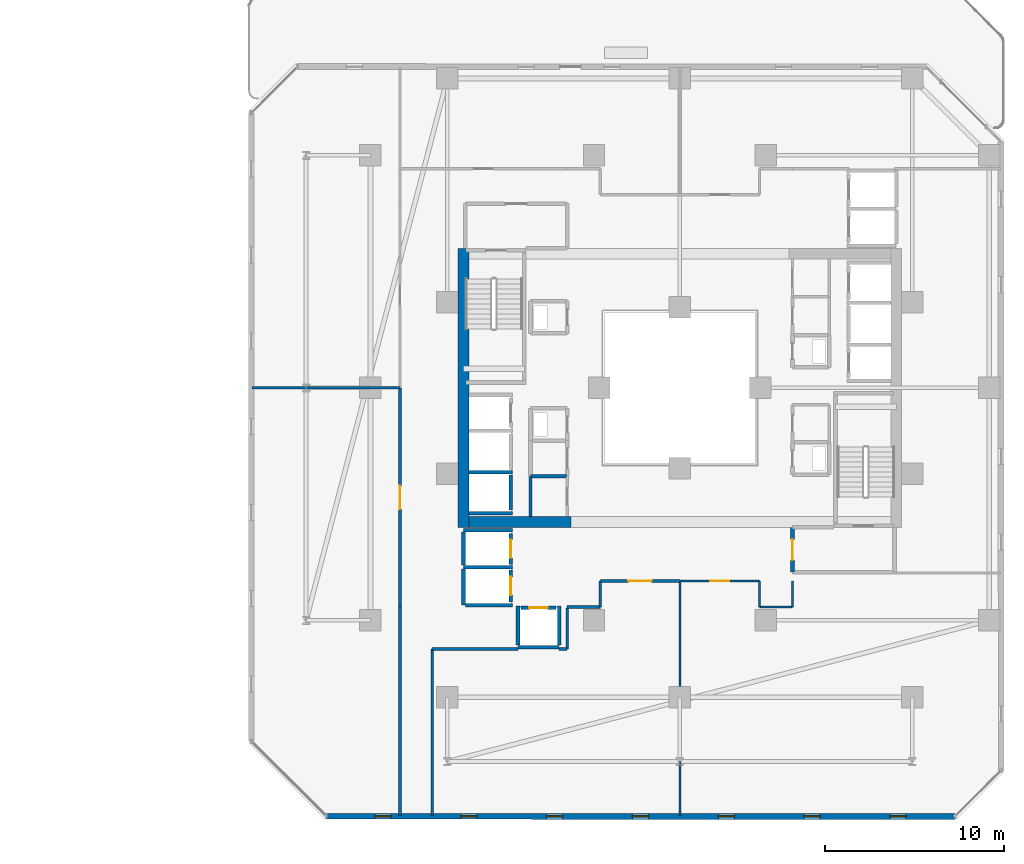
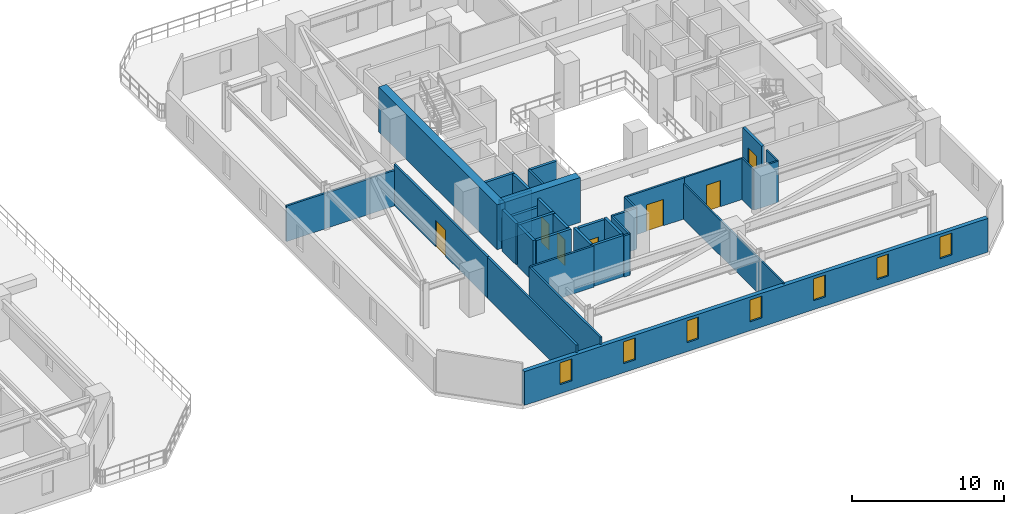
# One storey, part 24 of 33: 35 walls, 7 doors, 7 windows, 14 openings.
"""IFC4 building model written with IfcOpenShell, lengths in metres."""

from ifc_helpers import new_model, si_unit, direction, frame, frame_2d, origin, place, context, subcontext, project, spatial, rectangle, extrude, material, layer, layer_set, type_object, element, fill, save


model = new_model("IFC4")

# Units and contexts
model_context = context("Model", 3, precision=1e-05, world=origin(), true_north=direction((0.0, 1.0)))
body_context = subcontext(model_context, "Body", "Model", "MODEL_VIEW")
ifc_project = project(units=[si_unit("LENGTHUNIT", "METRE"), si_unit("AREAUNIT", "SQUARE_METRE"), si_unit("VOLUMEUNIT", "CUBIC_METRE"), si_unit("PLANEANGLEUNIT", "RADIAN"), si_unit("MASSUNIT", "GRAM", prefix="KILO")], contexts=[model_context])

# Site, building, storey
site_placement = place(None, origin())
site = spatial("IfcSite", under=ifc_project, at=site_placement, CompositionType="ELEMENT")
building_placement = place(site_placement, origin())
building = spatial("IfcBuilding", under=site, at=building_placement, Name="Thornwick Lancets Civic Towers", CompositionType="ELEMENT")
storey_placement = place(building_placement, frame((0.0, 0.0, 98.10009765625)))
storey = spatial("IfcBuildingStorey", under=building, at=storey_placement, Name="L25", CompositionType="ELEMENT", Elevation=98.10009765625)

# Wall
ifc_material_1 = material(Name="Concrete blockwork C40/50", Category="masonry")
ifc_layer_1 = layer(ifc_material_1, 0.199951171875, Name="Concrete blockwork C40/50")
ifc_layer_set_1 = layer_set([ifc_layer_1], Name="Concrete blockwork C40/50")
wall_type_1 = type_object("IfcWallType", Name="WALL_COMP_200", PredefinedType="STANDARD", material=ifc_layer_set_1)
wall_1_placement = place(storey_placement, frame((79.050048828125, 20.179931640625, 0.0), z_axis=(0.0, 0.0, 1.0), x_axis=(0.0, 1.0, 0.0)))
element("IfcWall", 1, at=wall_1_placement, inside=storey, type_object=wall_type_1, Name="L25 Hoistway Front Wall PL-BH3", PredefinedType="STANDARD", context=body_context, shape_type="SweptSolid", body=[
    extrude(rectangle(XDim=1.940185546875, YDim=0.199951171875, at=frame_2d((0.97021484375, 0.0))), origin(), (0.0, 0.0, 1.0), 3.2998046875),
])

# Wall, opening, door
wall_2_placement = place(storey_placement, frame((79.050048828125, 17.1298828125, 0.0), z_axis=(0.0, 0.0, 1.0), x_axis=(0.0, 1.0, 0.0)))
wall_2 = element("IfcWall", 2, at=wall_2_placement, inside=storey, type_object=wall_type_1, Name="L25 Hoistway Front Wall PL-BM1", PredefinedType="STANDARD", context=body_context, shape_type="SweptSolid", body=[
    extrude(rectangle(XDim=1.740234375, YDim=0.199951171875, at=frame_2d((0.8701171875, 0.0))), origin(), (0.0, 0.0, 1.0), 3.2998046875),
])
opening_1_placement = place(wall_2_placement, frame((0.360107421875, 0.0, 0.0)))
opening_1 = element("IfcOpeningElement", 3, at=opening_1_placement, cuts=wall_2, Name="Opening LD-PL-BM1", PredefinedType="OPENING", context=body_context, shape_type="SweptSolid", body=[
    extrude(rectangle(XDim=1.02001953125, YDim=2.06005859375, at=frame_2d((0.510009765625, 1.030029296875))), frame((0.0, 0.10986328125, 0.0), z_axis=(0.0, -1.0, 0.0), x_axis=(1.0, 0.0, 0.0)), (0.0, 0.0, 1.0), 0.219970703125),
])
ifc_material_2 = material(Name="Brushed bronze stainless steel", Category="steel")
door_type_1 = type_object("IfcDoorType", Name="DOOR_LIFT_SLIDE", OperationType="SLIDING_TO_LEFT", PredefinedType="DOOR", material=ifc_material_2)
door_1_placement = place(opening_1_placement, origin())
door_1 = element("IfcDoor", 4, at=door_1_placement, inside=storey, type_object=door_type_1, Name="L25 Sliding Lift Landing Door LD-PL-BM1", OperationType="SLIDING_TO_LEFT", OverallHeight=2.06005859375, OverallWidth=1.02001953125, PredefinedType="DOOR", context=body_context, shape_type="SweptSolid", body=[
    extrude(rectangle(XDim=1.02001953125, YDim=2.06005859375, at=frame_2d((0.510009765625, 1.030029296875))), frame((0.0, 0.02490234375, 0.0), z_axis=(0.0, -1.0, 0.0), x_axis=(1.0, 0.0, 0.0)), (0.0, 0.0, 1.0), 0.050048828125),
])
fill(opening_1, door_1)

wall_3_placement = place(storey_placement, frame((79.050048828125, 15.030029296875, 0.0), z_axis=(0.0, 0.0, 1.0), x_axis=(0.0, 1.0, 0.0)))
wall_3 = element("IfcWall", 5, at=wall_3_placement, inside=storey, type_object=wall_type_1, Name="L25 Hoistway Front Wall PL-BM2", PredefinedType="STANDARD", context=body_context, shape_type="SweptSolid", body=[
    extrude(rectangle(XDim=1.7900390625, YDim=0.199951171875, at=frame_2d((0.89501953125, 0.0))), origin(), (0.0, 0.0, 1.0), 3.2998046875),
])
opening_2_placement = place(wall_3_placement, frame((0.385009765625, 0.0, 0.0)))
opening_2 = element("IfcOpeningElement", 6, at=opening_2_placement, cuts=wall_3, Name="Opening LD-PL-BM2", PredefinedType="OPENING", context=body_context, shape_type="SweptSolid", body=[
    extrude(rectangle(XDim=1.02001953125, YDim=2.06005859375, at=frame_2d((0.510009765625, 1.030029296875))), frame((0.0, 0.10986328125, 0.0), z_axis=(0.0, -1.0, 0.0), x_axis=(1.0, 0.0, 0.0)), (0.0, 0.0, 1.0), 0.219970703125),
])
door_2_placement = place(opening_2_placement, origin())
door_2 = element("IfcDoor", 7, at=door_2_placement, inside=storey, type_object=door_type_1, Name="L25 Sliding Lift Landing Door LD-PL-BM2", OperationType="SLIDING_TO_LEFT", OverallHeight=2.06005859375, OverallWidth=1.02001953125, PredefinedType="DOOR", context=body_context, shape_type="SweptSolid", body=[
    extrude(rectangle(XDim=1.02001953125, YDim=2.06005859375, at=frame_2d((0.510009765625, 1.030029296875))), frame((0.0, 0.02490234375, 0.0), z_axis=(0.0, -1.0, 0.0), x_axis=(1.0, 0.0, 0.0)), (0.0, 0.0, 1.0), 0.050048828125),
])
fill(opening_2, door_2)

wall_4_placement = place(storey_placement, frame((79.6298828125, 14.699951171875, 0.0), z_axis=(0.0, 0.0, 1.0), x_axis=(1.0, 0.0, 0.0)))
wall_4 = element("IfcWall", 8, at=wall_4_placement, inside=storey, type_object=wall_type_1, Name="L25 Hoistway Front Wall PL-BM3", PredefinedType="STANDARD", context=body_context, shape_type="SweptSolid", body=[
    extrude(rectangle(XDim=1.940185546875, YDim=0.199951171875, at=frame_2d((0.97021484375, 0.0))), origin(), (0.0, 0.0, 1.0), 3.2998046875),
])
opening_3_placement = place(wall_4_placement, frame((0.4599609375, 0.0, 0.0)))
opening_3 = element("IfcOpeningElement", 9, at=opening_3_placement, cuts=wall_4, Name="Opening LD-PL-BM3", PredefinedType="OPENING", context=body_context, shape_type="SweptSolid", body=[
    extrude(rectangle(XDim=1.02001953125, YDim=2.06005859375, at=frame_2d((0.510009765625, 1.030029296875))), frame((0.0, 0.10986328125, 0.0), z_axis=(0.0, -1.0, 0.0), x_axis=(1.0, 0.0, 0.0)), (0.0, 0.0, 1.0), 0.219970703125),
])
door_3_placement = place(opening_3_placement, origin())
door_3 = element("IfcDoor", 10, at=door_3_placement, inside=storey, type_object=door_type_1, Name="L25 Sliding Lift Landing Door LD-PL-BM3", OperationType="SLIDING_TO_LEFT", OverallHeight=2.06005859375, OverallWidth=1.02001953125, PredefinedType="DOOR", context=body_context, shape_type="SweptSolid", body=[
    extrude(rectangle(XDim=1.02001953125, YDim=2.06005859375, at=frame_2d((0.510009765625, 1.030029296875))), frame((0.0, 0.02490234375, 0.0), z_axis=(0.0, -1.0, 0.0), x_axis=(1.0, 0.0, 0.0)), (0.0, 0.0, 1.0), 0.050048828125),
])
fill(opening_3, door_3)

# Walls
for number, where, z_axis, x_axis, name in (
    (11, (76.7119140625, 22.27490234375, 0.0), (0.0, 0.0, 1.0), (1.0, 0.0, 0.0), "L25 Hoistway Shaft Wall PL-BH2 S"),
    (12, (76.7119140625, 20.0, 0.0), (0.0, 0.0, 1.0), (1.0, 0.0, 0.0), "L25 Hoistway Shaft Wall PL-BH3 S"),
):
    element("IfcWall", number, at=place(storey_placement, frame(where, z_axis=z_axis, x_axis=x_axis)), inside=storey, type_object=wall_type_1, Name=name, PredefinedType="STANDARD", context=body_context, shape_type="SweptSolid", body=[
        extrude(rectangle(XDim=2.43603515625, YDim=0.199951171875, at=frame_2d((1.218017578125, 0.0))), origin(), (0.0, 0.0, 1.0), 3.2998046875),
    ])
wall_5_placement = place(storey_placement, frame((76.402099609375, 19.050048828125, 0.0), z_axis=(0.0, 0.0, 1.0), x_axis=(1.0, 0.0, 0.0)))
element("IfcWall", 13, at=wall_5_placement, inside=storey, type_object=wall_type_1, Name="L25 Hoistway Shaft Wall PL-BM1 N", PredefinedType="STANDARD", context=body_context, shape_type="SweptSolid", body=[
    extrude(rectangle(XDim=2.745849609375, YDim=0.199951171875, at=frame_2d((1.373046875, 0.0))), origin(), (0.0, 0.0, 1.0), 2.5048828125),
])
wall_6_placement = place(storey_placement, frame((76.402099609375, 16.97509765625, 0.0), z_axis=(0.0, 0.0, 1.0), x_axis=(1.0, 0.0, 0.0)))
element("IfcWall", 14, at=wall_6_placement, inside=storey, type_object=wall_type_1, Name="L25 Hoistway Shaft Wall PL-BM1 S", PredefinedType="STANDARD", context=body_context, shape_type="SweptSolid", body=[
    extrude(rectangle(XDim=2.745849609375, YDim=0.199951171875, at=frame_2d((1.373046875, 0.0))), origin(), (0.0, 0.0, 1.0), 3.2998046875),
])
wall_7_placement = place(storey_placement, frame((76.39990234375, 14.85205078125, 0.0), z_axis=(0.0, 0.0, 1.0), x_axis=(0.0, 1.0, 0.0)))
element("IfcWall", 15, at=wall_7_placement, inside=storey, type_object=wall_type_1, Name="L25 Hoistway Shaft Wall PL-BM1 W", PredefinedType="STANDARD", context=body_context, shape_type="SweptSolid", body=[
    extrude(rectangle(XDim=2.015869140625, YDim=0.199951171875, at=frame_2d((1.0078125, 0.0))), origin(), (0.0, 0.0, 1.0), 3.2998046875),
])
wall_8_placement = place(storey_placement, frame((76.39990234375, 17.08203125, 0.0), z_axis=(0.0, 0.0, 1.0), x_axis=(0.0, 1.0, 0.0)))
element("IfcWall", 16, at=wall_8_placement, inside=storey, type_object=wall_type_1, Name="L25 Hoistway Shaft Wall PL-BM1 W", PredefinedType="STANDARD", context=body_context, shape_type="SweptSolid", body=[
    extrude(rectangle(XDim=1.85595703125, YDim=0.199951171875, at=frame_2d((0.927978515625, 0.0))), origin(), (0.0, 0.0, 1.0), 3.2998046875),
])
wall_9_placement = place(storey_placement, frame((76.511962890625, 14.85009765625, 0.0), z_axis=(0.0, 0.0, 1.0), x_axis=(1.0, 0.0, 0.0)))
element("IfcWall", 17, at=wall_9_placement, inside=storey, type_object=wall_type_1, Name="L25 Hoistway Shaft Wall PL-BM2 S", PredefinedType="STANDARD", context=body_context, shape_type="SweptSolid", body=[
    extrude(rectangle(XDim=2.635986328125, YDim=0.199951171875, at=frame_2d((1.31787109375, 0.0))), origin(), (0.0, 0.0, 1.0), 3.2998046875),
])
wall_10_placement = place(storey_placement, frame((79.451904296875, 12.5, 0.0), z_axis=(0.0, 0.0, 1.0), x_axis=(1.0, 0.0, 0.0)))
element("IfcWall", 18, at=wall_10_placement, inside=storey, type_object=wall_type_1, Name="L25 Hoistway Shaft Wall PL-BM3 S", PredefinedType="STANDARD", context=body_context, shape_type="SweptSolid", body=[
    extrude(rectangle(XDim=2.296142578125, YDim=0.199951171875, at=frame_2d((1.14794921875, 0.0))), origin(), (0.0, 0.0, 1.0), 3.2998046875),
])
for number, where, z_axis, x_axis, name in (
    (19, (81.75, 12.612060546875, 0.0), (0.0, 0.0, 1.0), (0.0, 1.0, 0.0), "L25 Hoistway Shaft Wall PL-BM3 E"),
    (20, (79.449951171875, 12.612060546875, 0.0), (0.0, 0.0, 1.0), (0.0, 1.0, 0.0), "L25 Hoistway Shaft Wall PL-BM3 W"),
):
    element("IfcWall", number, at=place(storey_placement, frame(where, z_axis=z_axis, x_axis=x_axis)), inside=storey, type_object=wall_type_1, Name=name, PredefinedType="STANDARD", context=body_context, shape_type="SweptSolid", body=[
        extrude(rectangle(XDim=2.18603515625, YDim=0.199951171875, at=frame_2d((1.093017578125, 0.0))), origin(), (0.0, 0.0, 1.0), 3.2998046875),
    ])

# Wall, opening, door
wall_11_placement = place(storey_placement, frame((94.800048828125, 19.199951171875, 0.0), z_axis=(0.0, 0.0, 1.0), x_axis=(0.0, -1.0, 0.0)))
wall_11 = element("IfcWall", 21, at=wall_11_placement, inside=storey, type_object=wall_type_1, Name="L25 Partition L25-B-FFLOB1 E4", PredefinedType="STANDARD", context=body_context, shape_type="SweptSolid", body=[
    extrude(rectangle(XDim=2.5, YDim=0.199951171875, at=frame_2d((1.25, 0.0))), origin(), (0.0, 0.0, 1.0), 3.2998046875),
])
opening_4_placement = place(wall_11_placement, frame((0.675048828125, 0.0, 0.0)))
opening_4 = element("IfcOpeningElement", 22, at=opening_4_placement, cuts=wall_11, Name="Opening D-L25-1166", PredefinedType="OPENING", context=body_context, shape_type="SweptSolid", body=[
    extrude(rectangle(XDim=1.14990234375, YDim=2.10009765625, at=frame_2d((0.574951171875, 1.050048828125))), frame((0.0, 0.10986328125, 0.0), z_axis=(0.0, -1.0, 0.0), x_axis=(1.0, 0.0, 0.0)), (0.0, 0.0, 1.0), 0.219970703125),
])
ifc_material_3 = material(Name="Glazed fire-resisting steel", Category="steel")
door_type_2 = type_object("IfcDoorType", Name="DOOR_LOBBY_FD60", OperationType="NOTDEFINED", PredefinedType="DOOR", material=ifc_material_3)
door_4_placement = place(opening_4_placement, origin())
door_4 = element("IfcDoor", 23, at=door_4_placement, inside=storey, type_object=door_type_2, Name="L25 East Firefighting Lobby 1 Door", OperationType="SINGLE_SWING_LEFT", OverallHeight=2.10009765625, OverallWidth=1.14990234375, PredefinedType="DOOR", context=body_context, shape_type="SweptSolid", body=[
    extrude(rectangle(XDim=1.14990234375, YDim=2.10009765625, at=frame_2d((0.574951171875, 1.050048828125))), frame((0.0, 0.02490234375, 0.0), z_axis=(0.0, -1.0, 0.0), x_axis=(1.0, 0.0, 0.0)), (0.0, 0.0, 1.0), 0.050048828125),
])
fill(opening_4, door_4)

# Walls
wall_12_placement = place(storey_placement, frame((82.199951171875, 22.050048828125, 0.0), z_axis=(0.0, 0.0, 1.0), x_axis=(-1.0, 0.0, 0.0)))
element("IfcWall", 24, at=wall_12_placement, inside=storey, type_object=wall_type_1, Name="L25 Partition L25-B-STR E4", PredefinedType="STANDARD", context=body_context, shape_type="SweptSolid", body=[
    extrude(rectangle(XDim=2.050048828125, YDim=0.199951171875, at=frame_2d((1.02490234375, 0.0))), origin(), (0.0, 0.0, 1.0), 3.2998046875),
])
ifc_material_4 = material(Name="Concrete C60/75", Category="concrete")
ifc_layer_2 = layer(ifc_material_4, 0.60009765625, Name="Concrete C60/75")
ifc_layer_set_2 = layer_set([ifc_layer_2], Name="Concrete C60/75")
wall_type_2 = type_object("IfcWallType", Name="WALL_CORE_600", PredefinedType="SHEAR", material=ifc_layer_set_2)
wall_13_placement = place(storey_placement, frame((76.39990234375, 19.199951171875, 0.0), z_axis=(0.0, 0.0, 1.0), x_axis=(0.0, 1.0, 0.0)))
element("IfcWall", 25, at=wall_13_placement, inside=storey, type_object=wall_type_2, Name="L25 Split Core B2 Shear Wall W", PredefinedType="SHEAR", context=body_context, shape_type="SweptSolid", body=[
    extrude(rectangle(XDim=15.60009765625, YDim=0.60009765625, at=frame_2d((7.800048828125, 0.0))), origin(), (0.0, 0.0, 1.0), 3.599853515625),
])
wall_14_placement = place(storey_placement, frame((76.699951171875, 19.5, 0.0), z_axis=(0.0, 0.0, 1.0), x_axis=(1.0, 0.0, 0.0)))
element("IfcWall", 26, at=wall_14_placement, inside=storey, type_object=wall_type_2, Name="L25 Split Core B2 Shear Wall S", PredefinedType="SHEAR", context=body_context, shape_type="SweptSolid", body=[
    extrude(rectangle(XDim=5.699951171875, YDim=0.60009765625, at=frame_2d((2.85009765625, 0.0))), origin(), (0.0, 0.0, 1.0), 3.599853515625),
])

# Wall, openings, windows
ifc_material_5 = material(Name="Insulated buff terracotta rainscreen on concrete C40/50", Category="masonry")
ifc_layer_3 = layer(ifc_material_5, 0.320068359375, Name="Insulated buff terracotta rainscreen on concrete C40/50")
ifc_layer_set_3 = layer_set([ifc_layer_3], Name="Insulated buff terracotta rainscreen on concrete C40/50")
wall_type_3 = type_object("IfcWallType", Name="WALL_EXT_TERRA_320", PredefinedType="STANDARD", material=ifc_layer_set_3)
wall_15_placement = place(storey_placement, frame((68.748291015625, 3.04052734375, 0.0), z_axis=(0.0, 0.0, 1.0), x_axis=(0.999999989352, -0.000145929605, 0.0)))
wall_15 = element("IfcWall", 27, at=wall_15_placement, inside=storey, type_object=wall_type_3, Name="L25 Tower B Terracotta Facade Wall E0", PredefinedType="STANDARD", context=body_context, shape_type="SweptSolid", body=[
    extrude(rectangle(XDim=35.133056640625, YDim=0.320068359375, at=frame_2d((17.56640625, 0.0))), origin(), (0.0, 0.0, 1.0), 2.699951171875),
])
opening_5_placement = place(wall_15_placement, frame((2.699951171875, 0.0, 0.719970703125)))
opening_5 = element("IfcOpeningElement", 28, at=opening_5_placement, cuts=wall_15, Name="Opening WL-01", PredefinedType="OPENING", context=body_context, shape_type="SweptSolid", body=[
    extrude(rectangle(XDim=0.89990234375, YDim=1.75, at=frame_2d((0.449951171875, 0.875))), frame((0.0, 0.169921875, 0.0), z_axis=(0.0, -1.0, 0.0), x_axis=(1.0, 0.0, 0.0)), (0.0, 0.0, 1.0), 0.340087890625),
])
opening_6_placement = place(wall_15_placement, frame((7.5, 0.0, 0.719970703125)))
opening_6 = element("IfcOpeningElement", 29, at=opening_6_placement, cuts=wall_15, Name="Opening WL-01", PredefinedType="OPENING", context=body_context, shape_type="SweptSolid", body=[
    extrude(rectangle(XDim=0.89990234375, YDim=1.75, at=frame_2d((0.449951171875, 0.875))), frame((0.0, 0.169921875, 0.0), z_axis=(0.0, -1.0, 0.0), x_axis=(1.0, 0.0, 0.0)), (0.0, 0.0, 1.0), 0.340087890625),
])
opening_7_placement = place(wall_15_placement, frame((12.300048828125, 0.0, 0.719970703125)))
opening_7 = element("IfcOpeningElement", 30, at=opening_7_placement, cuts=wall_15, Name="Opening WL-01", PredefinedType="OPENING", context=body_context, shape_type="SweptSolid", body=[
    extrude(rectangle(XDim=0.89990234375, YDim=1.75, at=frame_2d((0.449951171875, 0.875))), frame((0.0, 0.169921875, 0.0), z_axis=(0.0, -1.0, 0.0), x_axis=(1.0, 0.0, 0.0)), (0.0, 0.0, 1.0), 0.340087890625),
])
opening_8_placement = place(wall_15_placement, frame((17.10009765625, 0.0, 0.719970703125)))
opening_8 = element("IfcOpeningElement", 31, at=opening_8_placement, cuts=wall_15, Name="Opening WL-01", PredefinedType="OPENING", context=body_context, shape_type="SweptSolid", body=[
    extrude(rectangle(XDim=0.89990234375, YDim=1.75, at=frame_2d((0.449951171875, 0.875))), frame((0.0, 0.169921875, 0.0), z_axis=(0.0, -1.0, 0.0), x_axis=(1.0, 0.0, 0.0)), (0.0, 0.0, 1.0), 0.340087890625),
])
opening_9_placement = place(wall_15_placement, frame((21.89990234375, 0.0, 0.719970703125)))
opening_9 = element("IfcOpeningElement", 32, at=opening_9_placement, cuts=wall_15, Name="Opening WL-01", PredefinedType="OPENING", context=body_context, shape_type="SweptSolid", body=[
    extrude(rectangle(XDim=0.89990234375, YDim=1.75, at=frame_2d((0.449951171875, 0.875))), frame((0.0, 0.169921875, 0.0), z_axis=(0.0, -1.0, 0.0), x_axis=(1.0, 0.0, 0.0)), (0.0, 0.0, 1.0), 0.340087890625),
])
opening_10_placement = place(wall_15_placement, frame((26.699951171875, 0.0, 0.719970703125)))
opening_10 = element("IfcOpeningElement", 33, at=opening_10_placement, cuts=wall_15, Name="Opening WL-01", PredefinedType="OPENING", context=body_context, shape_type="SweptSolid", body=[
    extrude(rectangle(XDim=0.89990234375, YDim=1.75, at=frame_2d((0.449951171875, 0.875))), frame((0.0, 0.169921875, 0.0), z_axis=(0.0, -1.0, 0.0), x_axis=(1.0, 0.0, 0.0)), (0.0, 0.0, 1.0), 0.340087890625),
])
opening_11_placement = place(wall_15_placement, frame((31.5, 0.0, 0.719970703125)))
opening_11 = element("IfcOpeningElement", 34, at=opening_11_placement, cuts=wall_15, Name="Opening WL-01", PredefinedType="OPENING", context=body_context, shape_type="SweptSolid", body=[
    extrude(rectangle(XDim=0.89990234375, YDim=1.75, at=frame_2d((0.449951171875, 0.875))), frame((0.0, 0.169921875, 0.0), z_axis=(0.0, -1.0, 0.0), x_axis=(1.0, 0.0, 0.0)), (0.0, 0.0, 1.0), 0.340087890625),
])
ifc_material_6 = material(Name="Clear low-e double glazing in bronze frame", Category="glass")
window_type = type_object("IfcWindowType", Name="WIN_LANCET_900", PartitioningType="SINGLE_PANEL", PredefinedType="WINDOW", material=ifc_material_6)
window_1_placement = place(opening_5_placement, origin())
window_1 = element("IfcWindow", 35, at=window_1_placement, inside=storey, type_object=window_type, Name="L25 Tower B Staggered Lancet Window E0-1", OverallHeight=1.75, OverallWidth=0.89990234375, PartitioningType="SINGLE_PANEL", PredefinedType="WINDOW", context=body_context, shape_type="SweptSolid", body=[
    extrude(rectangle(XDim=0.89990234375, YDim=1.75, at=frame_2d((0.449951171875, 0.875))), frame((0.0, 0.030029296875, 0.0), z_axis=(0.0, -1.0, 0.0), x_axis=(1.0, 0.0, 0.0)), (0.0, 0.0, 1.0), 0.06005859375),
])
fill(opening_5, window_1)
window_2_placement = place(opening_6_placement, origin())
window_2 = element("IfcWindow", 36, at=window_2_placement, inside=storey, type_object=window_type, Name="L25 Tower B Staggered Lancet Window E0-2", OverallHeight=1.75, OverallWidth=0.89990234375, PartitioningType="SINGLE_PANEL", PredefinedType="WINDOW", context=body_context, shape_type="SweptSolid", body=[
    extrude(rectangle(XDim=0.89990234375, YDim=1.75, at=frame_2d((0.449951171875, 0.875))), frame((0.0, 0.030029296875, 0.0), z_axis=(0.0, -1.0, 0.0), x_axis=(1.0, 0.0, 0.0)), (0.0, 0.0, 1.0), 0.06005859375),
])
fill(opening_6, window_2)
window_3_placement = place(opening_7_placement, origin())
window_3 = element("IfcWindow", 37, at=window_3_placement, inside=storey, type_object=window_type, Name="L25 Tower B Staggered Lancet Window E0-3", OverallHeight=1.75, OverallWidth=0.89990234375, PartitioningType="SINGLE_PANEL", PredefinedType="WINDOW", context=body_context, shape_type="SweptSolid", body=[
    extrude(rectangle(XDim=0.89990234375, YDim=1.75, at=frame_2d((0.449951171875, 0.875))), frame((0.0, 0.030029296875, 0.0), z_axis=(0.0, -1.0, 0.0), x_axis=(1.0, 0.0, 0.0)), (0.0, 0.0, 1.0), 0.06005859375),
])
fill(opening_7, window_3)
window_4_placement = place(opening_8_placement, origin())
window_4 = element("IfcWindow", 38, at=window_4_placement, inside=storey, type_object=window_type, Name="L25 Tower B Staggered Lancet Window E0-4", OverallHeight=1.75, OverallWidth=0.89990234375, PartitioningType="SINGLE_PANEL", PredefinedType="WINDOW", context=body_context, shape_type="SweptSolid", body=[
    extrude(rectangle(XDim=0.89990234375, YDim=1.75, at=frame_2d((0.449951171875, 0.875))), frame((0.0, 0.030029296875, 0.0), z_axis=(0.0, -1.0, 0.0), x_axis=(1.0, 0.0, 0.0)), (0.0, 0.0, 1.0), 0.06005859375),
])
fill(opening_8, window_4)
window_5_placement = place(opening_9_placement, origin())
window_5 = element("IfcWindow", 39, at=window_5_placement, inside=storey, type_object=window_type, Name="L25 Tower B Staggered Lancet Window E0-5", OverallHeight=1.75, OverallWidth=0.89990234375, PartitioningType="SINGLE_PANEL", PredefinedType="WINDOW", context=body_context, shape_type="SweptSolid", body=[
    extrude(rectangle(XDim=0.89990234375, YDim=1.75, at=frame_2d((0.449951171875, 0.875))), frame((0.0, 0.030029296875, 0.0), z_axis=(0.0, -1.0, 0.0), x_axis=(1.0, 0.0, 0.0)), (0.0, 0.0, 1.0), 0.06005859375),
])
fill(opening_9, window_5)
window_6_placement = place(opening_10_placement, origin())
window_6 = element("IfcWindow", 40, at=window_6_placement, inside=storey, type_object=window_type, Name="L25 Tower B Staggered Lancet Window E0-6", OverallHeight=1.75, OverallWidth=0.89990234375, PartitioningType="SINGLE_PANEL", PredefinedType="WINDOW", context=body_context, shape_type="SweptSolid", body=[
    extrude(rectangle(XDim=0.89990234375, YDim=1.75, at=frame_2d((0.449951171875, 0.875))), frame((0.0, 0.030029296875, 0.0), z_axis=(0.0, -1.0, 0.0), x_axis=(1.0, 0.0, 0.0)), (0.0, 0.0, 1.0), 0.06005859375),
])
fill(opening_10, window_6)
window_7_placement = place(opening_11_placement, origin())
window_7 = element("IfcWindow", 41, at=window_7_placement, inside=storey, type_object=window_type, Name="L25 Tower B Staggered Lancet Window E0-7", OverallHeight=1.75, OverallWidth=0.89990234375, PartitioningType="SINGLE_PANEL", PredefinedType="WINDOW", context=body_context, shape_type="SweptSolid", body=[
    extrude(rectangle(XDim=0.89990234375, YDim=1.75, at=frame_2d((0.449951171875, 0.875))), frame((0.0, 0.030029296875, 0.0), z_axis=(0.0, -1.0, 0.0), x_axis=(1.0, 0.0, 0.0)), (0.0, 0.0, 1.0), 0.06005859375),
])
fill(opening_11, window_7)

# Walls
ifc_material_7 = material(Name="Acoustic gypsum board partition")
ifc_layer_4 = layer(ifc_material_7, 0.1201171875, Name="Acoustic gypsum board partition")
ifc_layer_set_4 = layer_set([ifc_layer_4], Name="Acoustic gypsum board partition")
wall_type_4 = type_object("IfcWallType", Name="WALL_PART_120", PredefinedType="PARTITIONING", material=ifc_layer_set_4)
wall_16_placement = place(storey_placement, frame((92.949951171875, 16.199951171875, 0.0), z_axis=(0.0, 0.0, 1.0), x_axis=(0.0, -1.0, 0.0)))
element("IfcWall", 42, at=wall_16_placement, inside=storey, type_object=wall_type_4, Name="L25 Partition L25-B-W1 E1", PredefinedType="PARTITIONING", context=body_context, shape_type="SweptSolid", body=[
    extrude(rectangle(XDim=1.449951171875, YDim=0.1201171875, at=frame_2d((0.72509765625, 0.0))), origin(), (0.0, 0.0, 1.0), 3.2998046875),
])
wall_17_placement = place(storey_placement, frame((92.949951171875, 14.75, 0.0), z_axis=(0.0, 0.0, 1.0), x_axis=(1.0, 0.0, 0.0)))
element("IfcWall", 43, at=wall_17_placement, inside=storey, type_object=wall_type_4, Name="L25 Partition L25-B-W1 E2", PredefinedType="PARTITIONING", context=body_context, shape_type="SweptSolid", body=[
    extrude(rectangle(XDim=1.85009765625, YDim=0.1201171875, at=frame_2d((0.925048828125, 0.0))), origin(), (0.0, 0.0, 1.0), 3.2998046875),
])
wall_18_placement = place(storey_placement, frame((94.800048828125, 14.75, 0.0), z_axis=(0.0, 0.0, 1.0), x_axis=(0.0, 1.0, 0.0)))
element("IfcWall", 44, at=wall_18_placement, inside=storey, type_object=wall_type_4, Name="L25 Partition L25-B-W1 E3", PredefinedType="PARTITIONING", context=body_context, shape_type="SweptSolid", body=[
    extrude(rectangle(XDim=1.449951171875, YDim=0.1201171875, at=frame_2d((0.72509765625, 0.0))), origin(), (0.0, 0.0, 1.0), 3.2998046875),
])
wall_19_placement = place(storey_placement, frame((88.5, 3.080078125, 0.0), z_axis=(0.0, 0.0, 1.0), x_axis=(0.0, 1.0, 0.0)))
element("IfcWall", 45, at=wall_19_placement, inside=storey, type_object=wall_type_4, Name="L25 Partition L25-B-W1 E9", PredefinedType="PARTITIONING", context=body_context, shape_type="SweptSolid", body=[
    extrude(rectangle(XDim=13.119873046875, YDim=0.1201171875, at=frame_2d((6.56005859375, 0.0))), origin(), (0.0, 0.0, 1.0), 2.837646484375),
])

# Wall, opening, door
wall_20_placement = place(storey_placement, frame((88.5, 16.199951171875, 0.0), z_axis=(0.0, 0.0, 1.0), x_axis=(1.0, 0.0, 0.0)))
wall_20 = element("IfcWall", 46, at=wall_20_placement, inside=storey, type_object=wall_type_4, Name="L25 Partition L25-B-W1 E10", PredefinedType="PARTITIONING", context=body_context, shape_type="SweptSolid", body=[
    extrude(rectangle(XDim=4.449951171875, YDim=0.1201171875, at=frame_2d((2.22509765625, 0.0))), origin(), (0.0, 0.0, 1.0), 3.2998046875),
])
opening_12_placement = place(wall_20_placement, frame((1.699951171875, 0.0, 0.0)))
opening_12 = element("IfcOpeningElement", 47, at=opening_12_placement, cuts=wall_20, Name="Opening D-L25-1183", PredefinedType="OPENING", context=body_context, shape_type="SweptSolid", body=[
    extrude(rectangle(XDim=1.050048828125, YDim=2.10009765625, at=frame_2d((0.52490234375, 1.050048828125))), frame((0.0, 0.070068359375, 0.0), z_axis=(0.0, -1.0, 0.0), x_axis=(1.0, 0.0, 0.0)), (0.0, 0.0, 1.0), 0.14013671875),
])
ifc_material_8 = material(Name="Glazed European oak executive doorset")
door_type_3 = type_object("IfcDoorType", Name="DOOR_OFFICE_1050", OperationType="NOTDEFINED", PredefinedType="DOOR", material=ifc_material_8)
door_5_placement = place(opening_12_placement, origin())
door_5 = element("IfcDoor", 48, at=door_5_placement, inside=storey, type_object=door_type_3, Name="L25 Tower B Ministry Directorate Office W1 Door", OperationType="SINGLE_SWING_RIGHT", OverallHeight=2.10009765625, OverallWidth=1.050048828125, PredefinedType="DOOR", context=body_context, shape_type="SweptSolid", body=[
    extrude(rectangle(XDim=1.050048828125, YDim=2.10009765625, at=frame_2d((0.52490234375, 1.050048828125))), frame((0.0, 0.02490234375, 0.0), z_axis=(0.0, -1.0, 0.0), x_axis=(1.0, 0.0, 0.0)), (0.0, 0.0, 1.0), 0.050048828125),
])
fill(opening_12, door_5)

# Walls
ifc_material_9 = material(Name="Twin-stud acoustic gypsum board")
ifc_layer_5 = layer(ifc_material_9, 0.14990234375, Name="Twin-stud acoustic gypsum board")
ifc_layer_set_5 = layer_set([ifc_layer_5], Name="Twin-stud acoustic gypsum board")
wall_type_5 = type_object("IfcWallType", Name="WALL_PART_150", PredefinedType="PARTITIONING", material=ifc_layer_set_5)
wall_21_placement = place(storey_placement, frame((80.14990234375, 22.050048828125, 0.0), z_axis=(0.0, 0.0, 1.0), x_axis=(0.0, -1.0, 0.0)))
element("IfcWall", 49, at=wall_21_placement, inside=storey, type_object=wall_type_5, Name="L25 Partition L25-B-AWC E4", PredefinedType="PARTITIONING", context=body_context, shape_type="SweptSolid", body=[
    extrude(rectangle(XDim=2.25, YDim=0.14990234375, at=frame_2d((1.125, 0.0))), origin(), (0.0, 0.0, 1.0), 3.2998046875),
])
wall_22_placement = place(storey_placement, frame((82.199951171875, 12.39990234375, 0.0), z_axis=(0.0, 0.0, 1.0), x_axis=(0.0, 1.0, 0.0)))
element("IfcWall", 50, at=wall_22_placement, inside=storey, type_object=wall_type_5, Name="L25 Partition L25-B-W2 E1", PredefinedType="PARTITIONING", context=body_context, shape_type="SweptSolid", body=[
    extrude(rectangle(XDim=2.300048828125, YDim=0.14990234375, at=frame_2d((1.14990234375, 0.0))), origin(), (0.0, 0.0, 1.0), 3.2998046875),
])
wall_23_placement = place(storey_placement, frame((82.199951171875, 14.75, 0.0), z_axis=(0.0, 0.0, 1.0), x_axis=(1.0, 0.0, 0.0)))
element("IfcWall", 51, at=wall_23_placement, inside=storey, type_object=wall_type_5, Name="L25 Partition L25-B-W2 E3", PredefinedType="PARTITIONING", context=body_context, shape_type="SweptSolid", body=[
    extrude(rectangle(XDim=1.85009765625, YDim=0.14990234375, at=frame_2d((0.925048828125, 0.0))), origin(), (0.0, 0.0, 1.0), 3.2998046875),
])
wall_24_placement = place(storey_placement, frame((84.050048828125, 14.75, 0.0), z_axis=(0.0, 0.0, 1.0), x_axis=(0.0, 1.0, 0.0)))
element("IfcWall", 52, at=wall_24_placement, inside=storey, type_object=wall_type_5, Name="L25 Partition L25-B-W2 E4", PredefinedType="PARTITIONING", context=body_context, shape_type="SweptSolid", body=[
    extrude(rectangle(XDim=1.449951171875, YDim=0.14990234375, at=frame_2d((0.72509765625, 0.0))), origin(), (0.0, 0.0, 1.0), 3.2998046875),
])

# Wall, opening, door
wall_25_placement = place(storey_placement, frame((84.050048828125, 16.199951171875, 0.0), z_axis=(0.0, 0.0, 1.0), x_axis=(1.0, 0.0, 0.0)))
wall_25 = element("IfcWall", 53, at=wall_25_placement, inside=storey, type_object=wall_type_5, Name="L25 Partition L25-B-W2 E5", PredefinedType="PARTITIONING", context=body_context, shape_type="SweptSolid", body=[
    extrude(rectangle(XDim=4.449951171875, YDim=0.14990234375, at=frame_2d((2.22509765625, 0.0))), origin(), (0.0, 0.0, 1.0), 3.2998046875),
])
opening_13_placement = place(wall_25_placement, frame((1.574951171875, 0.0, 0.0)))
opening_13 = element("IfcOpeningElement", 54, at=opening_13_placement, cuts=wall_25, Name="Opening D-L25-1184", PredefinedType="OPENING", context=body_context, shape_type="SweptSolid", body=[
    extrude(rectangle(XDim=1.300048828125, YDim=2.1201171875, at=frame_2d((0.64990234375, 1.06005859375))), frame((0.0, 0.0849609375, 0.0), z_axis=(0.0, -1.0, 0.0), x_axis=(1.0, 0.0, 0.0)), (0.0, 0.0, 1.0), 0.169921875),
])
ifc_material_10 = material(Name="Acoustic oak leaf-and-a-half doorset")
door_type_4 = type_object("IfcDoorType", Name="DOOR_MEET_1300", OperationType="DOUBLE_DOOR_SINGLE_SWING", PredefinedType="DOOR", material=ifc_material_10)
door_6_placement = place(opening_13_placement, origin())
door_6 = element("IfcDoor", 55, at=door_6_placement, inside=storey, type_object=door_type_4, Name="L25 Tower B Policy Briefing Room W2 Door", OperationType="DOUBLE_DOOR_SINGLE_SWING", OverallHeight=2.1201171875, OverallWidth=1.300048828125, PredefinedType="DOOR", context=body_context, shape_type="SweptSolid", body=[
    extrude(rectangle(XDim=1.300048828125, YDim=2.1201171875, at=frame_2d((0.64990234375, 1.06005859375))), frame((0.0, 0.02490234375, 0.0), z_axis=(0.0, -1.0, 0.0), x_axis=(1.0, 0.0, 0.0)), (0.0, 0.0, 1.0), 0.050048828125),
])
fill(opening_13, door_6)

# Walls
wall_26_placement = place(storey_placement, frame((74.64990234375, 3.080078125, 0.0), z_axis=(0.0, 0.0, 1.0), x_axis=(0.0, 1.0, 0.0)))
element("IfcWall", 56, at=wall_26_placement, inside=storey, type_object=wall_type_5, Name="L25 Partition L25-B-W2 E8", PredefinedType="PARTITIONING", context=body_context, shape_type="SweptSolid", body=[
    extrude(rectangle(XDim=9.31982421875, YDim=0.14990234375, at=frame_2d((4.659912109375, 0.0))), origin(), (0.0, 0.0, 1.0), 3.2998046875),
])
wall_27_placement = place(storey_placement, frame((74.64990234375, 12.39990234375, 0.0), z_axis=(0.0, 0.0, 1.0), x_axis=(1.0, 0.0, 0.0)))
element("IfcWall", 57, at=wall_27_placement, inside=storey, type_object=wall_type_5, Name="L25 Partition L25-B-W2 E9", PredefinedType="PARTITIONING", context=body_context, shape_type="SweptSolid", body=[
    extrude(rectangle(XDim=4.802001953125, YDim=0.14990234375, at=frame_2d((2.40087890625, 0.0))), origin(), (0.0, 0.0, 1.0), 3.2998046875),
])
wall_28_placement = place(storey_placement, frame((81.748046875, 12.39990234375, 0.0), z_axis=(0.0, 0.0, 1.0), x_axis=(1.0, 0.0, 0.0)))
element("IfcWall", 58, at=wall_28_placement, inside=storey, type_object=wall_type_5, Name="L25 Partition L25-B-W2 E9", PredefinedType="PARTITIONING", context=body_context, shape_type="SweptSolid", body=[
    extrude(rectangle(XDim=0.451904296875, YDim=0.14990234375, at=frame_2d((0.22607421875, 0.0))), origin(), (0.0, 0.0, 1.0), 3.2998046875),
])
wall_29_placement = place(storey_placement, frame((72.85009765625, 14.75, 0.0), z_axis=(0.0, 0.0, 1.0), x_axis=(0.0, -1.0, 0.0)))
element("IfcWall", 59, at=wall_29_placement, inside=storey, type_object=wall_type_5, Name="L25 Partition L25-B-N-CONF E1", PredefinedType="PARTITIONING", context=body_context, shape_type="SweptSolid", body=[
    extrude(rectangle(XDim=11.669921875, YDim=0.14990234375, at=frame_2d((5.8349609375, 0.0))), origin(), (0.0, 0.0, 1.0), 3.2998046875),
])
wall_30_placement = place(storey_placement, frame((64.580078125, 27.0, 0.0), z_axis=(0.0, 0.0, 1.0), x_axis=(1.0, 0.0, 0.0)))
element("IfcWall", 60, at=wall_30_placement, inside=storey, type_object=wall_type_5, Name="L25 Partition L25-B-N-CONF E5", PredefinedType="PARTITIONING", context=body_context, shape_type="SweptSolid", body=[
    extrude(rectangle(XDim=8.27001953125, YDim=0.14990234375, at=frame_2d((4.135009765625, 0.0))), origin(), (0.0, 0.0, 1.0), 2.837646484375),
])

# Wall, opening, door
wall_31_placement = place(storey_placement, frame((72.85009765625, 27.0, 0.0), z_axis=(0.0, 0.0, 1.0), x_axis=(0.0, -1.0, 0.0)))
wall_31 = element("IfcWall", 61, at=wall_31_placement, inside=storey, type_object=wall_type_5, Name="L25 Partition L25-B-N-CONF E6", PredefinedType="PARTITIONING", context=body_context, shape_type="SweptSolid", body=[
    extrude(rectangle(XDim=12.25, YDim=0.14990234375, at=frame_2d((6.125, 0.0))), origin(), (0.0, 0.0, 1.0), 3.2998046875),
])
opening_14_placement = place(wall_31_placement, frame((5.47509765625, 0.0, 0.0)))
opening_14 = element("IfcOpeningElement", 62, at=opening_14_placement, cuts=wall_31, Name="Opening D-L25-1187", PredefinedType="OPENING", context=body_context, shape_type="SweptSolid", body=[
    extrude(rectangle(XDim=1.300048828125, YDim=2.1201171875, at=frame_2d((0.64990234375, 1.06005859375))), frame((0.0, 0.0849609375, 0.0), z_axis=(0.0, -1.0, 0.0), x_axis=(1.0, 0.0, 0.0)), (0.0, 0.0, 1.0), 0.169921875),
])
door_7_placement = place(opening_14_placement, origin())
door_7 = element("IfcDoor", 63, at=door_7_placement, inside=storey, type_object=door_type_4, Name="L25 Tower B North Conference Room Door", OperationType="DOUBLE_DOOR_SINGLE_SWING", OverallHeight=2.1201171875, OverallWidth=1.300048828125, PredefinedType="DOOR", context=body_context, shape_type="SweptSolid", body=[
    extrude(rectangle(XDim=1.300048828125, YDim=2.1201171875, at=frame_2d((0.64990234375, 1.06005859375))), frame((0.0, 0.02490234375, 0.0), z_axis=(0.0, -1.0, 0.0), x_axis=(1.0, 0.0, 0.0)), (0.0, 0.0, 1.0), 0.050048828125),
])
fill(opening_14, door_7)

save(model, "model.ifc")
